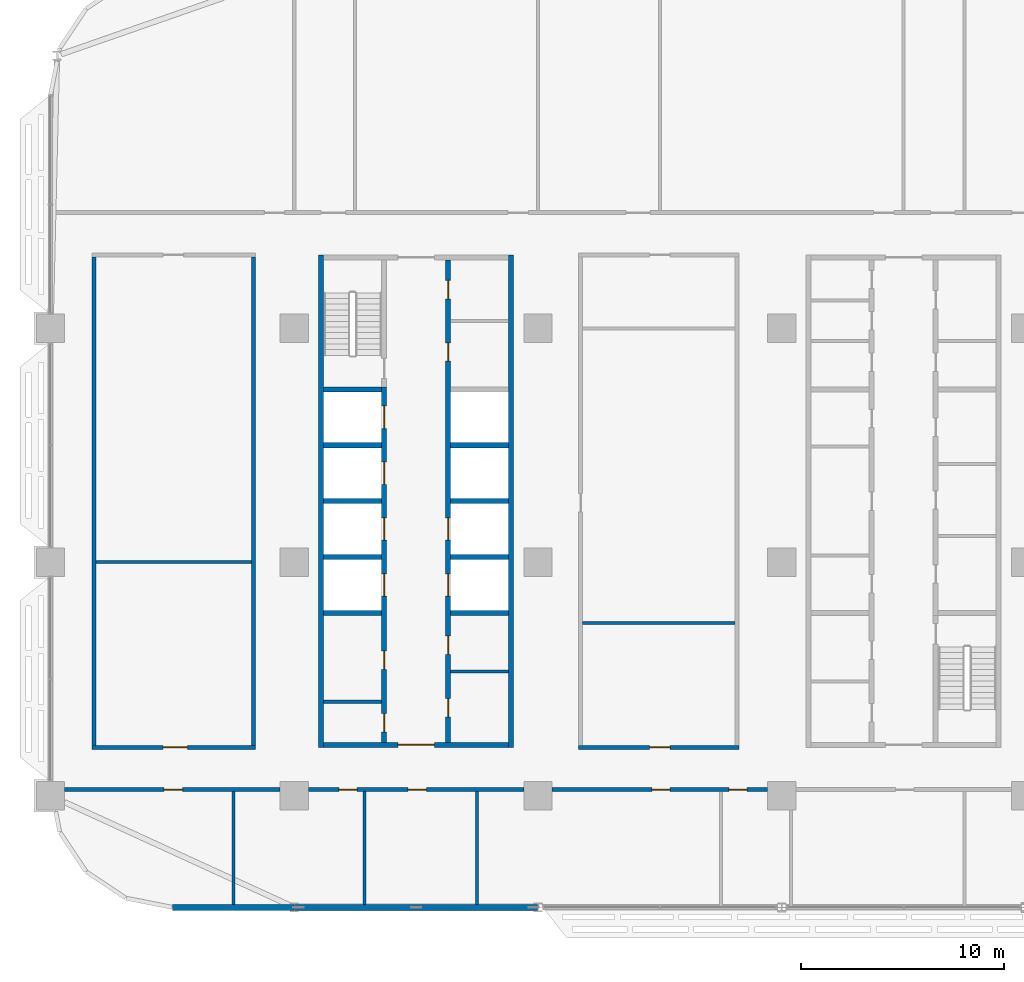
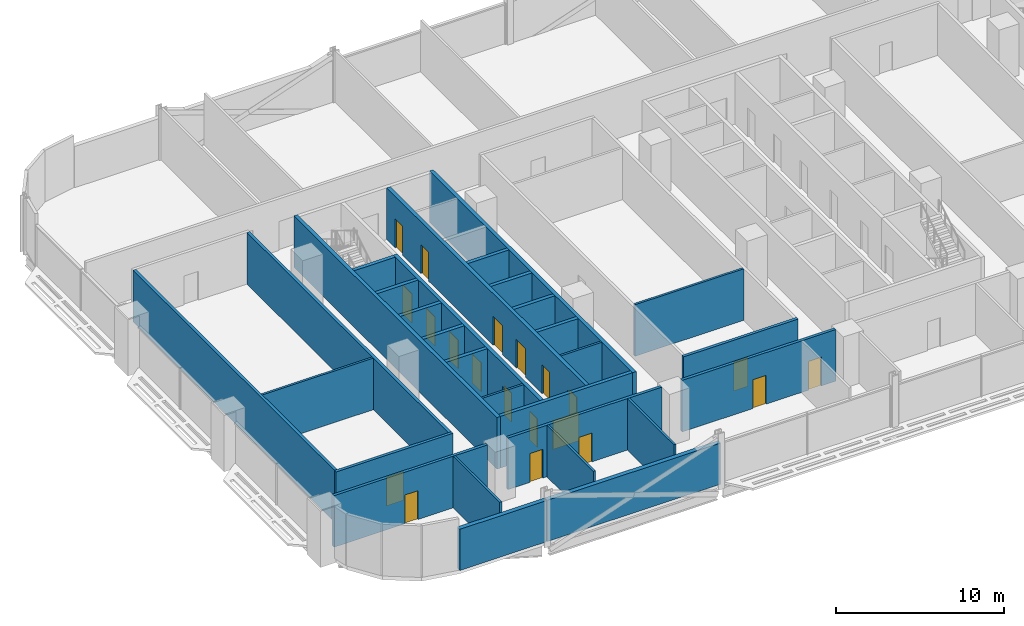
# One storey, part 12 of 29: 30 walls, 20 doors, 20 openings.
"""IFC4 building model written with IfcOpenShell, lengths in metres."""

from ifc_helpers import new_model, si_unit, direction, frame, frame_2d, origin, place, context, subcontext, project, spatial, rectangle, extrude, material, layer, layer_set, type_object, element, fill, save


model = new_model("IFC4")

# Units and contexts
model_context = context("Model", 3, precision=1e-05, world=origin(), true_north=direction((0.0, 1.0)))
body_context = subcontext(model_context, "Body", "Model", "MODEL_VIEW")
ifc_project = project(units=[si_unit("LENGTHUNIT", "METRE"), si_unit("AREAUNIT", "SQUARE_METRE"), si_unit("VOLUMEUNIT", "CUBIC_METRE"), si_unit("PLANEANGLEUNIT", "RADIAN"), si_unit("MASSUNIT", "GRAM", prefix="KILO")], contexts=[model_context])

# Site, building, storey
site_placement = place(None, origin())
site = spatial("IfcSite", under=ifc_project, at=site_placement, CompositionType="ELEMENT")
building_placement = place(site_placement, origin())
building = spatial("IfcBuilding", under=site, at=building_placement, Name="Mahtab Terrace Research Tower", CompositionType="ELEMENT")
storey_placement = place(building_placement, frame((0.0, 0.0, 93.0)))
storey = spatial("IfcBuildingStorey", under=building, at=storey_placement, Name="L21", CompositionType="ELEMENT", Elevation=93.0)

# Walls
ifc_material_1 = material(Name="Gypsum board partition")
ifc_layer_1 = layer(ifc_material_1, 0.14990234375)
ifc_layer_set_1 = layer_set([ifc_layer_1], Name="Core partition 150")
wall_type_1 = type_object("IfcWallType", Name="Core partition 150", PredefinedType="PARTITIONING", material=ifc_layer_set_1)
for number, where, z_axis, x_axis, name in (
    (1, (-28.550048828125, -6.875, 0.0), (0.0, 0.0, 1.0), (1.0, 0.0, 0.0), "Core wall A pWS-988"),
    (2, (-22.300048828125, -5.39501953125, 0.0), (0.0, 0.0, 1.0), (1.0, 0.0, 0.0), "Core wall A pES-840"),
):
    element("IfcWall", number, at=place(storey_placement, frame(where, z_axis=z_axis, x_axis=x_axis)), inside=storey, type_object=wall_type_1, Name=name, PredefinedType="PARTITIONING", context=body_context, shape_type="SweptSolid", body=[
        extrude(rectangle(XDim=2.85009765625, YDim=0.14990234375, at=frame_2d((1.425048828125, 0.0))), origin(), (0.0, 0.0, 1.0), 3.760009765625),
    ])
ifc_material_2 = material(Name="Concrete C70/85", Category="concrete")
ifc_layer_2 = layer(ifc_material_2, 0.25)
ifc_layer_set_2 = layer_set([ifc_layer_2], Name="Core wall 250")
wall_type_2 = type_object("IfcWallType", Name="Core wall 250", PredefinedType="SOLIDWALL", material=ifc_layer_set_2)
for number, where, z_axis, x_axis, name in (
    (3, (-28.675048828125, 15.125, 0.0), (0.0, 0.0, 1.0), (0.0, -1.0, 0.0), "Core wall A outerW"),
    (4, (-19.324951171875, -9.125, 0.0), (0.0, 0.0, 1.0), (0.0, 1.0, 0.0), "Core wall A outerE"),
):
    element("IfcWall", number, at=place(storey_placement, frame(where, z_axis=z_axis, x_axis=x_axis)), inside=storey, type_object=wall_type_2, Name=name, PredefinedType="SOLIDWALL", context=body_context, shape_type="SweptSolid", body=[
        extrude(rectangle(XDim=24.25, YDim=0.25, at=frame_2d((12.125, 0.0))), origin(), (0.0, 0.0, 1.0), 3.760009765625),
    ])

# Wall, opening, door
wall_1_placement = place(storey_placement, frame((-19.449951171875, -9.0, 0.0), z_axis=(0.0, 0.0, 1.0), x_axis=(-1.0, 0.0, 0.0)))
wall_1 = element("IfcWall", 5, at=wall_1_placement, inside=storey, type_object=wall_type_2, Name="Core wall A endS", PredefinedType="SOLIDWALL", context=body_context, shape_type="SweptSolid", body=[
    extrude(rectangle(XDim=9.10009765625, YDim=0.25, at=frame_2d((4.550048828125, 0.0))), origin(), (0.0, 0.0, 1.0), 3.760009765625),
])
opening_1_placement = place(wall_1_placement, frame((3.64990234375, 0.0, 0.0)))
opening_1 = element("IfcOpeningElement", 6, at=opening_1_placement, cuts=wall_1, Name="Opening A-S1", PredefinedType="OPENING", context=body_context, shape_type="SweptSolid", body=[
    extrude(rectangle(XDim=1.800048828125, YDim=2.10009765625, at=frame_2d((0.89990234375, 1.050048828125))), frame((0.0, 0.135009765625, 0.0), z_axis=(0.0, -1.0, 0.0), x_axis=(1.0, 0.0, 0.0)), (0.0, 0.0, 1.0), 0.27001953125),
])
ifc_material_3 = material(Name="Steel fire door", Category="steel")
door_type_1 = type_object("IfcDoorType", Name="Lobby double door 1800x2100 1 HR", OperationType="DOUBLE_DOOR_SINGLE_SWING", PredefinedType="DOOR", material=ifc_material_3)
door_1_placement = place(opening_1_placement, origin())
door_1 = element("IfcDoor", 7, at=door_1_placement, inside=storey, type_object=door_type_1, Name="Core entrance door A S", OperationType="DOUBLE_DOOR_SINGLE_SWING", OverallHeight=2.10009765625, OverallWidth=1.800048828125, PredefinedType="DOOR", context=body_context, shape_type="SweptSolid", body=[
    extrude(rectangle(XDim=1.800048828125, YDim=2.10009765625, at=frame_2d((0.89990234375, 1.050048828125))), frame((0.0, 0.02490234375, 0.0), z_axis=(0.0, -1.0, 0.0), x_axis=(1.0, 0.0, 0.0)), (0.0, 0.0, 1.0), 0.050048828125),
])
fill(opening_1, door_1)

# Wall, openings, doors
wall_2_placement = place(storey_placement, frame((-25.574951171875, -8.875, 0.0), z_axis=(0.0, 0.0, 1.0), x_axis=(0.0, 1.0, 0.0)))
wall_2 = element("IfcWall", 8, at=wall_2_placement, inside=storey, type_object=wall_type_2, Name="Core wall A innerWSL", PredefinedType="SOLIDWALL", context=body_context, shape_type="SweptSolid", body=[
    extrude(rectangle(XDim=17.5, YDim=0.25, at=frame_2d((8.75, 0.0))), origin(), (0.0, 0.0, 1.0), 3.760009765625),
])
opening_2_placement = place(wall_2_placement, frame((7.199951171875, 0.0, 0.0)))
opening_2 = element("IfcOpeningElement", 9, at=opening_2_placement, cuts=wall_2, Name="Opening LD01-L21", PredefinedType="OPENING", context=body_context, shape_type="SweptSolid", body=[
    extrude(rectangle(XDim=1.10009765625, YDim=2.10009765625, at=frame_2d((0.550048828125, 1.050048828125))), frame((0.0, 0.135009765625, 0.0), z_axis=(0.0, -1.0, 0.0), x_axis=(1.0, 0.0, 0.0)), (0.0, 0.0, 1.0), 0.27001953125),
])
opening_3_placement = place(wall_2_placement, frame((9.949951171875, 0.0, 0.0)))
opening_3 = element("IfcOpeningElement", 10, at=opening_3_placement, cuts=wall_2, Name="Opening LD02-L21", PredefinedType="OPENING", context=body_context, shape_type="SweptSolid", body=[
    extrude(rectangle(XDim=1.10009765625, YDim=2.10009765625, at=frame_2d((0.550048828125, 1.050048828125))), frame((0.0, 0.135009765625, 0.0), z_axis=(0.0, -1.0, 0.0), x_axis=(1.0, 0.0, 0.0)), (0.0, 0.0, 1.0), 0.27001953125),
])
opening_4_placement = place(wall_2_placement, frame((12.699951171875, 0.0, 0.0)))
opening_4 = element("IfcOpeningElement", 11, at=opening_4_placement, cuts=wall_2, Name="Opening LD03-L21", PredefinedType="OPENING", context=body_context, shape_type="SweptSolid", body=[
    extrude(rectangle(XDim=1.10009765625, YDim=2.10009765625, at=frame_2d((0.550048828125, 1.050048828125))), frame((0.0, 0.135009765625, 0.0), z_axis=(0.0, -1.0, 0.0), x_axis=(1.0, 0.0, 0.0)), (0.0, 0.0, 1.0), 0.27001953125),
])
opening_5_placement = place(wall_2_placement, frame((15.449951171875, 0.0, 0.0)))
opening_5 = element("IfcOpeningElement", 12, at=opening_5_placement, cuts=wall_2, Name="Opening LD04-L21", PredefinedType="OPENING", context=body_context, shape_type="SweptSolid", body=[
    extrude(rectangle(XDim=1.10009765625, YDim=2.10009765625, at=frame_2d((0.550048828125, 1.050048828125))), frame((0.0, 0.135009765625, 0.0), z_axis=(0.0, -1.0, 0.0), x_axis=(1.0, 0.0, 0.0)), (0.0, 0.0, 1.0), 0.27001953125),
])
opening_6_placement = place(wall_2_placement, frame((0.512451171875, 0.0, 0.0)))
opening_6 = element("IfcOpeningElement", 13, at=opening_6_placement, cuts=wall_2, Name="Opening A-R1", PredefinedType="OPENING", context=body_context, shape_type="SweptSolid", body=[
    extrude(rectangle(XDim=0.89990234375, YDim=2.10009765625, at=frame_2d((0.449951171875, 1.050048828125))), frame((0.0, 0.135009765625, 0.0), z_axis=(0.0, -1.0, 0.0), x_axis=(1.0, 0.0, 0.0)), (0.0, 0.0, 1.0), 0.27001953125),
])
opening_7_placement = place(wall_2_placement, frame((3.58740234375, 0.0, 0.0)))
opening_7 = element("IfcOpeningElement", 14, at=opening_7_placement, cuts=wall_2, Name="Opening A-R2", PredefinedType="OPENING", context=body_context, shape_type="SweptSolid", body=[
    extrude(rectangle(XDim=0.89990234375, YDim=2.10009765625, at=frame_2d((0.449951171875, 1.050048828125))), frame((0.0, 0.135009765625, 0.0), z_axis=(0.0, -1.0, 0.0), x_axis=(1.0, 0.0, 0.0)), (0.0, 0.0, 1.0), 0.27001953125),
])
ifc_material_4 = material(Name="Stainless steel AISI 304", Category="steel")
door_type_2 = type_object("IfcDoorType", Name="Landing door 1100x2100", OperationType="DOUBLE_DOOR_SLIDING", PredefinedType="DOOR", material=ifc_material_4)
door_2_placement = place(opening_2_placement, origin())
door_2 = element("IfcDoor", 15, at=door_2_placement, inside=storey, type_object=door_type_2, Name="Landing door LR1 L21", OperationType="DOUBLE_DOOR_SLIDING", OverallHeight=2.10009765625, OverallWidth=1.10009765625, PredefinedType="DOOR", context=body_context, shape_type="SweptSolid", body=[
    extrude(rectangle(XDim=1.10009765625, YDim=2.10009765625, at=frame_2d((0.550048828125, 1.050048828125))), frame((0.0, 0.02490234375, 0.0), z_axis=(0.0, -1.0, 0.0), x_axis=(1.0, 0.0, 0.0)), (0.0, 0.0, 1.0), 0.050048828125),
])
fill(opening_2, door_2)
door_3_placement = place(opening_3_placement, origin())
door_3 = element("IfcDoor", 16, at=door_3_placement, inside=storey, type_object=door_type_2, Name="Landing door LR2 L21", OperationType="DOUBLE_DOOR_SLIDING", OverallHeight=2.10009765625, OverallWidth=1.10009765625, PredefinedType="DOOR", context=body_context, shape_type="SweptSolid", body=[
    extrude(rectangle(XDim=1.10009765625, YDim=2.10009765625, at=frame_2d((0.550048828125, 1.050048828125))), frame((0.0, 0.02490234375, 0.0), z_axis=(0.0, -1.0, 0.0), x_axis=(1.0, 0.0, 0.0)), (0.0, 0.0, 1.0), 0.050048828125),
])
fill(opening_3, door_3)
door_4_placement = place(opening_4_placement, origin())
door_4 = element("IfcDoor", 17, at=door_4_placement, inside=storey, type_object=door_type_2, Name="Landing door LR3 L21", OperationType="DOUBLE_DOOR_SLIDING", OverallHeight=2.10009765625, OverallWidth=1.10009765625, PredefinedType="DOOR", context=body_context, shape_type="SweptSolid", body=[
    extrude(rectangle(XDim=1.10009765625, YDim=2.10009765625, at=frame_2d((0.550048828125, 1.050048828125))), frame((0.0, 0.02490234375, 0.0), z_axis=(0.0, -1.0, 0.0), x_axis=(1.0, 0.0, 0.0)), (0.0, 0.0, 1.0), 0.050048828125),
])
fill(opening_4, door_4)
door_5_placement = place(opening_5_placement, origin())
door_5 = element("IfcDoor", 18, at=door_5_placement, inside=storey, type_object=door_type_2, Name="Landing door LR4 L21", OperationType="DOUBLE_DOOR_SLIDING", OverallHeight=2.10009765625, OverallWidth=1.10009765625, PredefinedType="DOOR", context=body_context, shape_type="SweptSolid", body=[
    extrude(rectangle(XDim=1.10009765625, YDim=2.10009765625, at=frame_2d((0.550048828125, 1.050048828125))), frame((0.0, 0.02490234375, 0.0), z_axis=(0.0, -1.0, 0.0), x_axis=(1.0, 0.0, 0.0)), (0.0, 0.0, 1.0), 0.050048828125),
])
fill(opening_5, door_5)
door_type_3 = type_object("IfcDoorType", Name="Room door 900x2100 1 HR", OperationType="NOTDEFINED", PredefinedType="DOOR", material=ifc_material_3)
door_6_placement = place(opening_6_placement, origin())
door_6 = element("IfcDoor", 19, at=door_6_placement, inside=storey, type_object=door_type_3, Name="Accessible WC door", OperationType="SINGLE_SWING_LEFT", OverallHeight=2.10009765625, OverallWidth=0.89990234375, PredefinedType="DOOR", context=body_context, shape_type="SweptSolid", body=[
    extrude(rectangle(XDim=0.89990234375, YDim=2.10009765625, at=frame_2d((0.449951171875, 1.050048828125))), frame((0.0, 0.02490234375, 0.0), z_axis=(0.0, -1.0, 0.0), x_axis=(1.0, 0.0, 0.0)), (0.0, 0.0, 1.0), 0.050048828125),
])
fill(opening_6, door_6)
door_7_placement = place(opening_7_placement, origin())
door_7 = element("IfcDoor", 20, at=door_7_placement, inside=storey, type_object=door_type_3, Name="WC block door", OperationType="SINGLE_SWING_RIGHT", OverallHeight=2.10009765625, OverallWidth=0.89990234375, PredefinedType="DOOR", context=body_context, shape_type="SweptSolid", body=[
    extrude(rectangle(XDim=0.89990234375, YDim=2.10009765625, at=frame_2d((0.449951171875, 1.050048828125))), frame((0.0, 0.02490234375, 0.0), z_axis=(0.0, -1.0, 0.0), x_axis=(1.0, 0.0, 0.0)), (0.0, 0.0, 1.0), 0.050048828125),
])
fill(opening_7, door_7)

wall_3_placement = place(storey_placement, frame((-22.425048828125, 14.875, 0.0), z_axis=(0.0, 0.0, 1.0), x_axis=(0.0, -1.0, 0.0)))
wall_3 = element("IfcWall", 21, at=wall_3_placement, inside=storey, type_object=wall_type_2, Name="Core wall A innerESLN", PredefinedType="SOLIDWALL", context=body_context, shape_type="SweptSolid", body=[
    extrude(rectangle(XDim=23.75, YDim=0.25, at=frame_2d((11.875, 0.0))), origin(), (0.0, 0.0, 1.0), 3.760009765625),
])
opening_8_placement = place(wall_3_placement, frame((15.449951171875, 0.0, 0.0)))
opening_8 = element("IfcOpeningElement", 22, at=opening_8_placement, cuts=wall_3, Name="Opening LD05-L21", PredefinedType="OPENING", context=body_context, shape_type="SweptSolid", body=[
    extrude(rectangle(XDim=1.10009765625, YDim=2.10009765625, at=frame_2d((0.550048828125, 1.050048828125))), frame((0.0, 0.135009765625, 0.0), z_axis=(0.0, -1.0, 0.0), x_axis=(1.0, 0.0, 0.0)), (0.0, 0.0, 1.0), 0.27001953125),
])
opening_9_placement = place(wall_3_placement, frame((12.699951171875, 0.0, 0.0)))
opening_9 = element("IfcOpeningElement", 23, at=opening_9_placement, cuts=wall_3, Name="Opening LD06-L21", PredefinedType="OPENING", context=body_context, shape_type="SweptSolid", body=[
    extrude(rectangle(XDim=1.10009765625, YDim=2.10009765625, at=frame_2d((0.550048828125, 1.050048828125))), frame((0.0, 0.135009765625, 0.0), z_axis=(0.0, -1.0, 0.0), x_axis=(1.0, 0.0, 0.0)), (0.0, 0.0, 1.0), 0.27001953125),
])
opening_10_placement = place(wall_3_placement, frame((21.597412109375, 0.0, 0.0)))
opening_10 = element("IfcOpeningElement", 24, at=opening_10_placement, cuts=wall_3, Name="Opening A-R3", PredefinedType="OPENING", context=body_context, shape_type="SweptSolid", body=[
    extrude(rectangle(XDim=0.89990234375, YDim=2.10009765625, at=frame_2d((0.449951171875, 1.050048828125))), frame((0.0, 0.135009765625, 0.0), z_axis=(0.0, -1.0, 0.0), x_axis=(1.0, 0.0, 0.0)), (0.0, 0.0, 1.0), 0.27001953125),
])
opening_11_placement = place(wall_3_placement, frame((18.5224609375, 0.0, 0.0)))
opening_11 = element("IfcOpeningElement", 25, at=opening_11_placement, cuts=wall_3, Name="Opening A-R4", PredefinedType="OPENING", context=body_context, shape_type="SweptSolid", body=[
    extrude(rectangle(XDim=0.89990234375, YDim=2.10009765625, at=frame_2d((0.449951171875, 1.050048828125))), frame((0.0, 0.135009765625, 0.0), z_axis=(0.0, -1.0, 0.0), x_axis=(1.0, 0.0, 0.0)), (0.0, 0.0, 1.0), 0.27001953125),
])
opening_12_placement = place(wall_3_placement, frame((4.08740234375, 0.0, 0.0)))
opening_12 = element("IfcOpeningElement", 26, at=opening_12_placement, cuts=wall_3, Name="Opening A-R5", PredefinedType="OPENING", context=body_context, shape_type="SweptSolid", body=[
    extrude(rectangle(XDim=0.89990234375, YDim=2.10009765625, at=frame_2d((0.449951171875, 1.050048828125))), frame((0.0, 0.135009765625, 0.0), z_axis=(0.0, -1.0, 0.0), x_axis=(1.0, 0.0, 0.0)), (0.0, 0.0, 1.0), 0.27001953125),
])
opening_13_placement = place(wall_3_placement, frame((1.012451171875, 0.0, 0.0)))
opening_13 = element("IfcOpeningElement", 27, at=opening_13_placement, cuts=wall_3, Name="Opening A-R6", PredefinedType="OPENING", context=body_context, shape_type="SweptSolid", body=[
    extrude(rectangle(XDim=0.89990234375, YDim=2.10009765625, at=frame_2d((0.449951171875, 1.050048828125))), frame((0.0, 0.135009765625, 0.0), z_axis=(0.0, -1.0, 0.0), x_axis=(1.0, 0.0, 0.0)), (0.0, 0.0, 1.0), 0.27001953125),
])
door_8_placement = place(opening_8_placement, origin())
door_8 = element("IfcDoor", 28, at=door_8_placement, inside=storey, type_object=door_type_2, Name="Landing door LR5 L21", OperationType="DOUBLE_DOOR_SLIDING", OverallHeight=2.10009765625, OverallWidth=1.10009765625, PredefinedType="DOOR", context=body_context, shape_type="SweptSolid", body=[
    extrude(rectangle(XDim=1.10009765625, YDim=2.10009765625, at=frame_2d((0.550048828125, 1.050048828125))), frame((0.0, 0.02490234375, 0.0), z_axis=(0.0, -1.0, 0.0), x_axis=(1.0, 0.0, 0.0)), (0.0, 0.0, 1.0), 0.050048828125),
])
fill(opening_8, door_8)
door_9_placement = place(opening_9_placement, origin())
door_9 = element("IfcDoor", 29, at=door_9_placement, inside=storey, type_object=door_type_2, Name="Landing door LR6 L21", OperationType="DOUBLE_DOOR_SLIDING", OverallHeight=2.10009765625, OverallWidth=1.10009765625, PredefinedType="DOOR", context=body_context, shape_type="SweptSolid", body=[
    extrude(rectangle(XDim=1.10009765625, YDim=2.10009765625, at=frame_2d((0.550048828125, 1.050048828125))), frame((0.0, 0.02490234375, 0.0), z_axis=(0.0, -1.0, 0.0), x_axis=(1.0, 0.0, 0.0)), (0.0, 0.0, 1.0), 0.050048828125),
])
fill(opening_9, door_9)
door_10_placement = place(opening_10_placement, origin())
door_10 = element("IfcDoor", 30, at=door_10_placement, inside=storey, type_object=door_type_3, Name="Pantry door", OperationType="SINGLE_SWING_LEFT", OverallHeight=2.10009765625, OverallWidth=0.89990234375, PredefinedType="DOOR", context=body_context, shape_type="SweptSolid", body=[
    extrude(rectangle(XDim=0.89990234375, YDim=2.10009765625, at=frame_2d((0.449951171875, 1.050048828125))), frame((0.0, 0.02490234375, 0.0), z_axis=(0.0, -1.0, 0.0), x_axis=(1.0, 0.0, 0.0)), (0.0, 0.0, 1.0), 0.050048828125),
])
fill(opening_10, door_10)
door_11_placement = place(opening_11_placement, origin())
door_11 = element("IfcDoor", 31, at=door_11_placement, inside=storey, type_object=door_type_3, Name="Linen store door", OperationType="SINGLE_SWING_RIGHT", OverallHeight=2.10009765625, OverallWidth=0.89990234375, PredefinedType="DOOR", context=body_context, shape_type="SweptSolid", body=[
    extrude(rectangle(XDim=0.89990234375, YDim=2.10009765625, at=frame_2d((0.449951171875, 1.050048828125))), frame((0.0, 0.02490234375, 0.0), z_axis=(0.0, -1.0, 0.0), x_axis=(1.0, 0.0, 0.0)), (0.0, 0.0, 1.0), 0.050048828125),
])
fill(opening_11, door_11)
door_12_placement = place(opening_12_placement, origin())
door_12 = element("IfcDoor", 32, at=door_12_placement, inside=storey, type_object=door_type_3, Name="Housekeeping store door", OperationType="SINGLE_SWING_LEFT", OverallHeight=2.10009765625, OverallWidth=0.89990234375, PredefinedType="DOOR", context=body_context, shape_type="SweptSolid", body=[
    extrude(rectangle(XDim=0.89990234375, YDim=2.10009765625, at=frame_2d((0.449951171875, 1.050048828125))), frame((0.0, 0.02490234375, 0.0), z_axis=(0.0, -1.0, 0.0), x_axis=(1.0, 0.0, 0.0)), (0.0, 0.0, 1.0), 0.050048828125),
])
fill(opening_12, door_12)
door_13_placement = place(opening_13_placement, origin())
door_13 = element("IfcDoor", 33, at=door_13_placement, inside=storey, type_object=door_type_3, Name="Electrical riser room door", OperationType="SINGLE_SWING_RIGHT", OverallHeight=2.10009765625, OverallWidth=0.89990234375, PredefinedType="DOOR", context=body_context, shape_type="SweptSolid", body=[
    extrude(rectangle(XDim=0.89990234375, YDim=2.10009765625, at=frame_2d((0.449951171875, 1.050048828125))), frame((0.0, 0.02490234375, 0.0), z_axis=(0.0, -1.0, 0.0), x_axis=(1.0, 0.0, 0.0)), (0.0, 0.0, 1.0), 0.050048828125),
])
fill(opening_13, door_13)

# Walls
for number, where, z_axis, x_axis, name in (
    (34, (-28.550048828125, -2.5, 0.0), (0.0, 0.0, 1.0), (1.0, 0.0, 0.0), "Core wall A divW0"),
    (35, (-28.550048828125, 0.25, 0.0), (0.0, 0.0, 1.0), (1.0, 0.0, 0.0), "Core wall A divW1"),
    (36, (-28.550048828125, 3.0, 0.0), (0.0, 0.0, 1.0), (1.0, 0.0, 0.0), "Core wall A divW2"),
    (37, (-28.550048828125, 5.75, 0.0), (0.0, 0.0, 1.0), (1.0, 0.0, 0.0), "Core wall A divW3"),
    (38, (-28.550048828125, 8.5, 0.0), (0.0, 0.0, 1.0), (1.0, 0.0, 0.0), "Core wall A divW4"),
    (39, (-22.300048828125, -2.5, 0.0), (0.0, 0.0, 1.0), (1.0, 0.0, 0.0), "Core wall A divE0"),
    (40, (-22.300048828125, 0.25, 0.0), (0.0, 0.0, 1.0), (1.0, 0.0, 0.0), "Core wall A divE1"),
    (41, (-22.300048828125, 3.0, 0.0), (0.0, 0.0, 1.0), (1.0, 0.0, 0.0), "Core wall A divE2"),
    (42, (-22.300048828125, 5.75, 0.0), (0.0, 0.0, 1.0), (1.0, 0.0, 0.0), "Core wall A divE3"),
):
    element("IfcWall", number, at=place(storey_placement, frame(where, z_axis=z_axis, x_axis=x_axis)), inside=storey, type_object=wall_type_2, Name=name, PredefinedType="SOLIDWALL", context=body_context, shape_type="SweptSolid", body=[
        extrude(rectangle(XDim=2.85009765625, YDim=0.25, at=frame_2d((1.425048828125, 0.0))), origin(), (0.0, 0.0, 1.0), 3.760009765625),
    ])
ifc_material_5 = material(Name="Black aluminium cladding panel", Category="aluminium")
ifc_layer_3 = layer(ifc_material_5, 0.300048828125)
ifc_layer_set_3 = layer_set([ifc_layer_3], Name="Opaque facade wall 300")
wall_type_3 = type_object("IfcWallType", Name="Opaque facade wall 300", PredefinedType="NOTDEFINED", material=ifc_layer_set_3)
wall_4_placement = place(storey_placement, frame((-36.0, -17.0, 0.0), z_axis=(0.0, 0.0, 1.0), x_axis=(1.0, 0.0, 0.0)))
element("IfcWall", 43, at=wall_4_placement, inside=storey, type_object=wall_type_3, Name="Opaque facade wall L21 S23", PredefinedType="NOTDEFINED", context=body_context, shape_type="SweptSolid", body=[
    extrude(rectangle(XDim=5.97900390625, YDim=0.300048828125, at=frame_2d((2.989501953125, 0.0))), origin(), (0.0, 0.0, 1.0), 3.003173828125),
])
wall_5_placement = place(storey_placement, frame((-29.97900390625, -17.0, 0.0), z_axis=(0.0, 0.0, 1.0), x_axis=(1.0, 0.0, 0.0)))
element("IfcWall", 44, at=wall_5_placement, inside=storey, type_object=wall_type_3, Name="Opaque facade wall L21 S24", PredefinedType="NOTDEFINED", context=body_context, shape_type="SweptSolid", body=[
    extrude(rectangle(XDim=11.9580078125, YDim=0.300048828125, at=frame_2d((5.97900390625, 0.0))), origin(), (0.0, 0.0, 1.0), 3.003173828125),
])

# Wall, opening, door
ifc_material_6 = material(Name="Gypsum board corridor wall on steel studs", Category="steel")
ifc_layer_4 = layer(ifc_material_6, 0.199951171875)
ifc_layer_set_4 = layer_set([ifc_layer_4], Name="WALL CORRIDOR 200")
wall_type_4 = type_object("IfcWallType", Name="WALL CORRIDOR 200", PredefinedType="PARTITIONING", material=ifc_layer_set_4)
wall_6_placement = place(storey_placement, frame((-41.300048828125, -11.199951171875, 0.0), z_axis=(0.0, 0.0, 1.0), x_axis=(1.0, 0.0, 0.0)))
wall_6 = element("IfcWall", 45, at=wall_6_placement, inside=storey, type_object=wall_type_4, Name="L21-W001", PredefinedType="PARTITIONING", context=body_context, shape_type="SweptSolid", body=[
    extrude(rectangle(XDim=10.60009765625, YDim=0.199951171875, at=frame_2d((5.300048828125, 0.0))), origin(), (0.0, 0.0, 1.0), 3.760009765625),
])
opening_14_placement = place(wall_6_placement, frame((4.89990234375, 0.0, 0.0)))
opening_14 = element("IfcOpeningElement", 46, at=opening_14_placement, cuts=wall_6, Name="Opening L21-101", PredefinedType="OPENING", context=body_context, shape_type="SweptSolid", body=[
    extrude(rectangle(XDim=0.89990234375, YDim=2.10009765625, at=frame_2d((0.449951171875, 1.050048828125))), frame((0.0, 0.10986328125, 0.0), z_axis=(0.0, -1.0, 0.0), x_axis=(1.0, 0.0, 0.0)), (0.0, 0.0, 1.0), 0.219970703125),
])
ifc_material_7 = material(Name="Timber door leaf in steel frame", Category="steel")
door_type_4 = type_object("IfcDoorType", Name="DOOR 0900X2100 FD30S", OperationType="SINGLE_SWING_LEFT", PredefinedType="DOOR", material=ifc_material_7)
door_14_placement = place(opening_14_placement, origin())
door_14 = element("IfcDoor", 47, at=door_14_placement, inside=storey, type_object=door_type_4, Name="Door L21-101", OperationType="SINGLE_SWING_LEFT", OverallHeight=2.10009765625, OverallWidth=0.89990234375, PredefinedType="DOOR", context=body_context, shape_type="SweptSolid", body=[
    extrude(rectangle(XDim=0.89990234375, YDim=2.10009765625, at=frame_2d((0.449951171875, 1.050048828125))), frame((0.0, 0.02490234375, 0.0), z_axis=(0.0, -1.0, 0.0), x_axis=(1.0, 0.0, 0.0)), (0.0, 0.0, 1.0), 0.050048828125),
])
fill(opening_14, door_14)

# Wall, openings, doors
wall_7_placement = place(storey_placement, frame((-29.300048828125, -11.199951171875, 0.0), z_axis=(0.0, 0.0, 1.0), x_axis=(1.0, 0.0, 0.0)))
wall_7 = element("IfcWall", 48, at=wall_7_placement, inside=storey, type_object=wall_type_4, Name="L21-W002", PredefinedType="PARTITIONING", context=body_context, shape_type="SweptSolid", body=[
    extrude(rectangle(XDim=10.60009765625, YDim=0.199951171875, at=frame_2d((5.300048828125, 0.0))), origin(), (0.0, 0.0, 1.0), 3.760009765625),
])
opening_15_placement = place(wall_7_placement, frame((1.5, 0.0, 0.0)))
opening_15 = element("IfcOpeningElement", 49, at=opening_15_placement, cuts=wall_7, Name="Opening L21-102", PredefinedType="OPENING", context=body_context, shape_type="SweptSolid", body=[
    extrude(rectangle(XDim=0.89990234375, YDim=2.10009765625, at=frame_2d((0.449951171875, 1.050048828125))), frame((0.0, 0.10986328125, 0.0), z_axis=(0.0, -1.0, 0.0), x_axis=(1.0, 0.0, 0.0)), (0.0, 0.0, 1.0), 0.219970703125),
])
opening_16_placement = place(wall_7_placement, frame((4.89990234375, 0.0, 0.0)))
opening_16 = element("IfcOpeningElement", 50, at=opening_16_placement, cuts=wall_7, Name="Opening L21-103", PredefinedType="OPENING", context=body_context, shape_type="SweptSolid", body=[
    extrude(rectangle(XDim=0.89990234375, YDim=2.10009765625, at=frame_2d((0.449951171875, 1.050048828125))), frame((0.0, 0.10986328125, 0.0), z_axis=(0.0, -1.0, 0.0), x_axis=(1.0, 0.0, 0.0)), (0.0, 0.0, 1.0), 0.219970703125),
])
door_15_placement = place(opening_15_placement, origin())
door_15 = element("IfcDoor", 51, at=door_15_placement, inside=storey, type_object=door_type_4, Name="Door L21-102", OperationType="SINGLE_SWING_RIGHT", OverallHeight=2.10009765625, OverallWidth=0.89990234375, PredefinedType="DOOR", context=body_context, shape_type="SweptSolid", body=[
    extrude(rectangle(XDim=0.89990234375, YDim=2.10009765625, at=frame_2d((0.449951171875, 1.050048828125))), frame((0.0, 0.02490234375, 0.0), z_axis=(0.0, -1.0, 0.0), x_axis=(1.0, 0.0, 0.0)), (0.0, 0.0, 1.0), 0.050048828125),
])
fill(opening_15, door_15)
door_16_placement = place(opening_16_placement, origin())
door_16 = element("IfcDoor", 52, at=door_16_placement, inside=storey, type_object=door_type_4, Name="Door L21-103", OperationType="SINGLE_SWING_LEFT", OverallHeight=2.10009765625, OverallWidth=0.89990234375, PredefinedType="DOOR", context=body_context, shape_type="SweptSolid", body=[
    extrude(rectangle(XDim=0.89990234375, YDim=2.10009765625, at=frame_2d((0.449951171875, 1.050048828125))), frame((0.0, 0.02490234375, 0.0), z_axis=(0.0, -1.0, 0.0), x_axis=(1.0, 0.0, 0.0)), (0.0, 0.0, 1.0), 0.050048828125),
])
fill(opening_16, door_16)

wall_8_placement = place(storey_placement, frame((-17.300048828125, -11.199951171875, 0.0), z_axis=(0.0, 0.0, 1.0), x_axis=(1.0, 0.0, 0.0)))
wall_8 = element("IfcWall", 53, at=wall_8_placement, inside=storey, type_object=wall_type_4, Name="L21-W003", PredefinedType="PARTITIONING", context=body_context, shape_type="SweptSolid", body=[
    extrude(rectangle(XDim=10.60009765625, YDim=0.199951171875, at=frame_2d((5.300048828125, 0.0))), origin(), (0.0, 0.0, 1.0), 3.760009765625),
])
opening_17_placement = place(wall_8_placement, frame((4.89990234375, 0.0, 0.0)))
opening_17 = element("IfcOpeningElement", 54, at=opening_17_placement, cuts=wall_8, Name="Opening L21-104", PredefinedType="OPENING", context=body_context, shape_type="SweptSolid", body=[
    extrude(rectangle(XDim=0.89990234375, YDim=2.10009765625, at=frame_2d((0.449951171875, 1.050048828125))), frame((0.0, 0.10986328125, 0.0), z_axis=(0.0, -1.0, 0.0), x_axis=(1.0, 0.0, 0.0)), (0.0, 0.0, 1.0), 0.219970703125),
])
opening_18_placement = place(wall_8_placement, frame((8.699951171875, 0.0, 0.0)))
opening_18 = element("IfcOpeningElement", 55, at=opening_18_placement, cuts=wall_8, Name="Opening L21-105", PredefinedType="OPENING", context=body_context, shape_type="SweptSolid", body=[
    extrude(rectangle(XDim=0.89990234375, YDim=2.10009765625, at=frame_2d((0.449951171875, 1.050048828125))), frame((0.0, 0.10986328125, 0.0), z_axis=(0.0, -1.0, 0.0), x_axis=(1.0, 0.0, 0.0)), (0.0, 0.0, 1.0), 0.219970703125),
])
door_17_placement = place(opening_17_placement, origin())
door_17 = element("IfcDoor", 56, at=door_17_placement, inside=storey, type_object=door_type_4, Name="Door L21-104", OperationType="SINGLE_SWING_LEFT", OverallHeight=2.10009765625, OverallWidth=0.89990234375, PredefinedType="DOOR", context=body_context, shape_type="SweptSolid", body=[
    extrude(rectangle(XDim=0.89990234375, YDim=2.10009765625, at=frame_2d((0.449951171875, 1.050048828125))), frame((0.0, 0.02490234375, 0.0), z_axis=(0.0, -1.0, 0.0), x_axis=(1.0, 0.0, 0.0)), (0.0, 0.0, 1.0), 0.050048828125),
])
fill(opening_17, door_17)
door_18_placement = place(opening_18_placement, origin())
door_18 = element("IfcDoor", 57, at=door_18_placement, inside=storey, type_object=door_type_4, Name="Door L21-105", OperationType="SINGLE_SWING_LEFT", OverallHeight=2.10009765625, OverallWidth=0.89990234375, PredefinedType="DOOR", context=body_context, shape_type="SweptSolid", body=[
    extrude(rectangle(XDim=0.89990234375, YDim=2.10009765625, at=frame_2d((0.449951171875, 1.050048828125))), frame((0.0, 0.02490234375, 0.0), z_axis=(0.0, -1.0, 0.0), x_axis=(1.0, 0.0, 0.0)), (0.0, 0.0, 1.0), 0.050048828125),
])
fill(opening_18, door_18)

# Wall, opening, door
wall_9_placement = place(storey_placement, frame((-39.949951171875, -9.125, 0.0), z_axis=(0.0, 0.0, 1.0), x_axis=(1.0, 0.0, 0.0)))
wall_9 = element("IfcWall", 58, at=wall_9_placement, inside=storey, type_object=wall_type_4, Name="L21-W009", PredefinedType="PARTITIONING", context=body_context, shape_type="SweptSolid", body=[
    extrude(rectangle(XDim=8.050048828125, YDim=0.199951171875, at=frame_2d((4.02490234375, 0.0))), origin(), (0.0, 0.0, 1.0), 3.760009765625),
])
opening_19_placement = place(wall_9_placement, frame((3.5, 0.0, 0.0)))
opening_19 = element("IfcOpeningElement", 59, at=opening_19_placement, cuts=wall_9, Name="Opening L21-117", PredefinedType="OPENING", context=body_context, shape_type="SweptSolid", body=[
    extrude(rectangle(XDim=1.199951171875, YDim=2.10009765625, at=frame_2d((0.60009765625, 1.050048828125))), frame((0.0, 0.10986328125, 0.0), z_axis=(0.0, -1.0, 0.0), x_axis=(1.0, 0.0, 0.0)), (0.0, 0.0, 1.0), 0.219970703125),
])
door_type_5 = type_object("IfcDoorType", Name="DOOR 1200X2100 FD30S", OperationType="SINGLE_SWING_LEFT", PredefinedType="DOOR", material=ifc_material_7)
door_19_placement = place(opening_19_placement, origin())
door_19 = element("IfcDoor", 60, at=door_19_placement, inside=storey, type_object=door_type_5, Name="Door L21-117", OperationType="SINGLE_SWING_RIGHT", OverallHeight=2.10009765625, OverallWidth=1.199951171875, PredefinedType="DOOR", context=body_context, shape_type="SweptSolid", body=[
    extrude(rectangle(XDim=1.199951171875, YDim=2.10009765625, at=frame_2d((0.60009765625, 1.050048828125))), frame((0.0, 0.02490234375, 0.0), z_axis=(0.0, -1.0, 0.0), x_axis=(1.0, 0.0, 0.0)), (0.0, 0.0, 1.0), 0.050048828125),
])
fill(opening_19, door_19)

wall_10_placement = place(storey_placement, frame((-16.0, -9.125, 0.0), z_axis=(0.0, 0.0, 1.0), x_axis=(1.0, 0.0, 0.0)))
wall_10 = element("IfcWall", 61, at=wall_10_placement, inside=storey, type_object=wall_type_4, Name="L21-W010", PredefinedType="PARTITIONING", context=body_context, shape_type="SweptSolid", body=[
    extrude(rectangle(XDim=7.89990234375, YDim=0.199951171875, at=frame_2d((3.949951171875, 0.0))), origin(), (0.0, 0.0, 1.0), 3.760009765625),
])
opening_20_placement = place(wall_10_placement, frame((3.5, 0.0, 0.0)))
opening_20 = element("IfcOpeningElement", 62, at=opening_20_placement, cuts=wall_10, Name="Opening L21-114", PredefinedType="OPENING", context=body_context, shape_type="SweptSolid", body=[
    extrude(rectangle(XDim=1.0, YDim=2.10009765625, at=frame_2d((0.5, 1.050048828125))), frame((0.0, 0.10986328125, 0.0), z_axis=(0.0, -1.0, 0.0), x_axis=(1.0, 0.0, 0.0)), (0.0, 0.0, 1.0), 0.219970703125),
])
door_type_6 = type_object("IfcDoorType", Name="DOOR 1000X2100 FD30S", OperationType="SINGLE_SWING_LEFT", PredefinedType="DOOR", material=ifc_material_7)
door_20_placement = place(opening_20_placement, origin())
door_20 = element("IfcDoor", 63, at=door_20_placement, inside=storey, type_object=door_type_6, Name="Door L21-114", OperationType="SINGLE_SWING_RIGHT", OverallHeight=2.10009765625, OverallWidth=1.0, PredefinedType="DOOR", context=body_context, shape_type="SweptSolid", body=[
    extrude(rectangle(XDim=1.0, YDim=2.10009765625, at=frame_2d((0.5, 1.050048828125))), frame((0.0, 0.02490234375, 0.0), z_axis=(0.0, -1.0, 0.0), x_axis=(1.0, 0.0, 0.0)), (0.0, 0.0, 1.0), 0.050048828125),
])
fill(opening_20, door_20)

# Walls
for number, where, z_axis, x_axis, name in (
    (64, (-39.85009765625, -9.02490234375, 0.0), (0.0, 0.0, 1.0), (0.0, 1.0, 0.0), "L21-W025"),
    (65, (-32.0, -9.02490234375, 0.0), (0.0, 0.0, 1.0), (0.0, 1.0, 0.0), "L21-W027"),
):
    element("IfcWall", number, at=place(storey_placement, frame(where, z_axis=z_axis, x_axis=x_axis)), inside=storey, type_object=wall_type_4, Name=name, PredefinedType="PARTITIONING", context=body_context, shape_type="SweptSolid", body=[
        extrude(rectangle(XDim=24.0498046875, YDim=0.199951171875, at=frame_2d((12.02490234375, 0.0))), origin(), (0.0, 0.0, 1.0), 3.760009765625),
    ])
ifc_material_8 = material(Name="Gypsum board partition on steel studs", Category="steel")
ifc_layer_5 = layer(ifc_material_8, 0.14990234375)
ifc_layer_set_5 = layer_set([ifc_layer_5], Name="WALL PARTITION 150")
wall_type_5 = type_object("IfcWallType", Name="WALL PARTITION 150", PredefinedType="PARTITIONING", material=ifc_layer_set_5)
wall_11_placement = place(storey_placement, frame((-15.800048828125, -3.0, 0.0), z_axis=(0.0, 0.0, 1.0), x_axis=(1.0, 0.0, 0.0)))
element("IfcWall", 66, at=wall_11_placement, inside=storey, type_object=wall_type_5, Name="L21-W013", PredefinedType="PARTITIONING", context=body_context, shape_type="SweptSolid", body=[
    extrude(rectangle(XDim=7.5, YDim=0.14990234375, at=frame_2d((3.75, 0.0))), origin(), (0.0, 0.0, 1.0), 3.760009765625),
])
wall_12_placement = place(storey_placement, frame((-39.75, 0.0, 0.0), z_axis=(0.0, 0.0, 1.0), x_axis=(1.0, 0.0, 0.0)))
element("IfcWall", 67, at=wall_12_placement, inside=storey, type_object=wall_type_5, Name="L21-W015", PredefinedType="PARTITIONING", context=body_context, shape_type="SweptSolid", body=[
    extrude(rectangle(XDim=7.64990234375, YDim=0.14990234375, at=frame_2d((3.824951171875, 0.0))), origin(), (0.0, 0.0, 1.0), 3.760009765625),
])
for number, where, z_axis, x_axis, name in (
    (68, (-33.0, -16.85009765625, 0.0), (0.0, 0.0, 1.0), (0.0, 1.0, 0.0), "L21-W026"),
    (69, (-26.550048828125, -16.85009765625, 0.0), (0.0, 0.0, 1.0), (0.0, 1.0, 0.0), "L21-W030"),
    (70, (-21.0, -16.85009765625, 0.0), (0.0, 0.0, 1.0), (0.0, 1.0, 0.0), "L21-W031"),
):
    element("IfcWall", number, at=place(storey_placement, frame(where, z_axis=z_axis, x_axis=x_axis)), inside=storey, type_object=wall_type_5, Name=name, PredefinedType="PARTITIONING", context=body_context, shape_type="SweptSolid", body=[
        extrude(rectangle(XDim=5.550048828125, YDim=0.14990234375, at=frame_2d((2.77490234375, 0.0))), origin(), (0.0, 0.0, 1.0), 3.760009765625),
    ])

save(model, "model.ifc")
